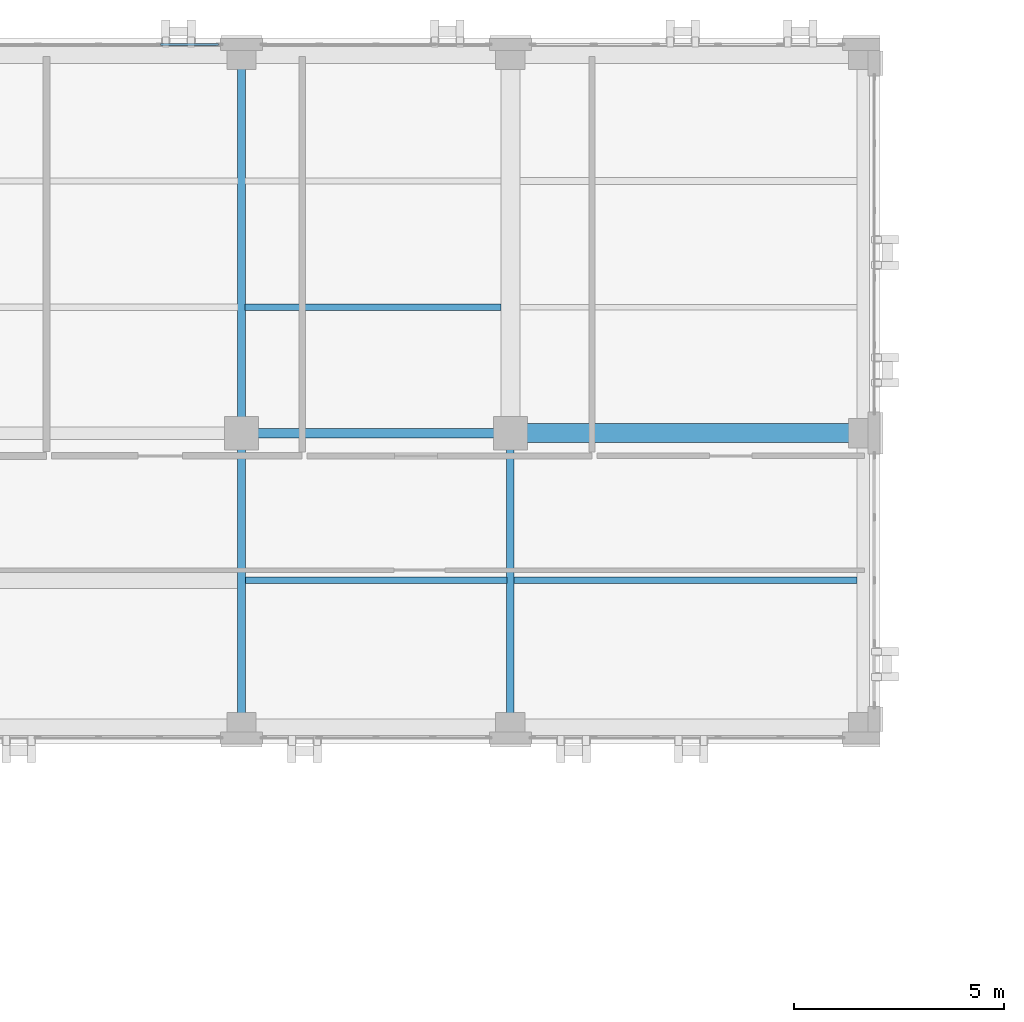
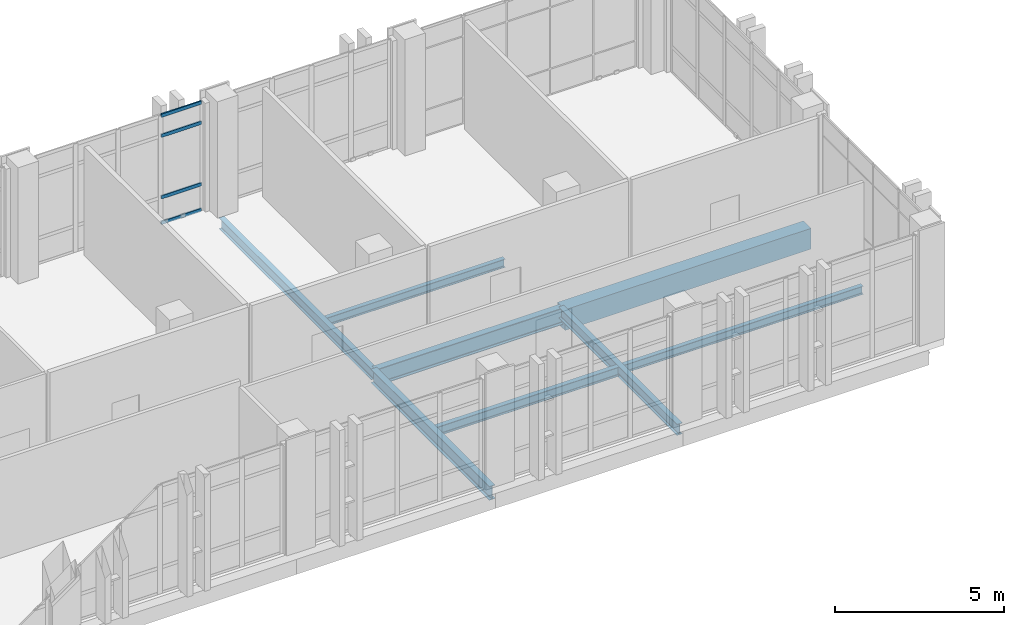
# One storey, part 95 of 165: 8 beams, 4 members, 1 element without a shape of its own.
"""IFC4 building model written with IfcOpenShell, lengths in metres."""

from ifc_helpers import new_model, si_unit, direction, frame, origin, origin_2d, place, context, subcontext, project, spatial, rectangle, hollow_rectangle, i_section, extrude, material, layer, layer_set, material_profile, profile_set, type_object, element, aggregate, save


model = new_model("IFC4")

# Units and contexts
model_context = context("Model", 3, precision=1e-05, world=origin(), true_north=direction((0.0, 1.0)))
body_context = subcontext(model_context, "Body", "Model", "MODEL_VIEW")
ifc_project = project(units=[si_unit("LENGTHUNIT", "METRE"), si_unit("AREAUNIT", "SQUARE_METRE"), si_unit("VOLUMEUNIT", "CUBIC_METRE"), si_unit("PLANEANGLEUNIT", "RADIAN"), si_unit("MASSUNIT", "GRAM", prefix="KILO")], contexts=[model_context])

# Site, building, storey
site_placement = place(None, origin())
site = spatial("IfcSite", under=ifc_project, at=site_placement, CompositionType="ELEMENT")
building_placement = place(site_placement, origin())
building = spatial("IfcBuilding", under=site, at=building_placement, Name="Qalavern Law Courts", CompositionType="ELEMENT")
storey_placement = place(building_placement, frame((0.0, 0.0, 14.39990234375)))
storey = spatial("IfcBuildingStorey", under=building, at=storey_placement, Name="L03", CompositionType="ELEMENT", Elevation=14.39990234375)

# Curtain wall, members
ifc_material_1 = material(Name="Anodised aluminium and insulated glazing", Category="aluminium")
ifc_layer = layer(ifc_material_1, 0.166015625)
ifc_layer_set = layer_set([ifc_layer], Name="Anodised aluminium and insulated glazing")
curtain_wall_type = type_object("IfcCurtainWallType", Name="ENV-CW-LIB", PredefinedType="USERDEFINED", material=ifc_layer_set)
curtain_wall_placement = place(storey_placement, origin())
curtain_wall = element("IfcCurtainWall", 1, at=curtain_wall_placement, inside=storey, type_object=curtain_wall_type, Name="V5 unitised curtain wall L03 north 3", ObjectType="UNITISED CURTAIN WALL", PredefinedType="USERDEFINED")
ifc_material_2 = material(Name="Anodised aluminium", Category="aluminium")
ifc_material_profile_1 = material_profile(ifc_material_2, hollow_rectangle(XDim=0.048095703125, YDim=0.1201171875, WallThickness=0.00390625, at=origin_2d()), Name="ALU TRANSOM 48x120")
ifc_profile_set_1 = profile_set([ifc_material_profile_1], Name="Anodised aluminium")
member_type = type_object("IfcMemberType", Name="ENV-CWT-48x120", PredefinedType="USERDEFINED", material=ifc_profile_set_1)
member_1_placement = place(storey_placement, frame((51.052001953125, 112.8525390625, 0.024169921875), z_axis=(-1.0, 0.0, 0.0), x_axis=(0.0, -1.0, 0.0)))
member_1 = element("IfcMember", 2, at=member_1_placement, type_object=member_type, Name="CW-05 transom 1.1", ObjectType="TRANSOM", PredefinedType="USERDEFINED", context=body_context, shape_type="SweptSolid", body=[
    extrude(hollow_rectangle(XDim=0.048095703125, YDim=0.1201171875, WallThickness=0.00390625, at=origin_2d()), origin(), (0.0, 0.0, 1.0), 1.3779296875),
])
member_2_placement = place(storey_placement, frame((51.052001953125, 112.8525390625, 0.9501953125), z_axis=(-1.0, 0.0, 0.0), x_axis=(0.0, -1.0, 0.0)))
member_2 = element("IfcMember", 3, at=member_2_placement, type_object=member_type, Name="CW-05 transom 1.2", ObjectType="TRANSOM", PredefinedType="USERDEFINED", context=body_context, shape_type="SweptSolid", body=[
    extrude(hollow_rectangle(XDim=0.048095703125, YDim=0.1201171875, WallThickness=0.00390625, at=origin_2d()), origin(), (0.0, 0.0, 1.0), 1.3779296875),
])
member_3_placement = place(storey_placement, frame((51.052001953125, 112.8525390625, 3.170166015625), z_axis=(-1.0, 0.0, 0.0), x_axis=(0.0, -1.0, 0.0)))
member_3 = element("IfcMember", 4, at=member_3_placement, type_object=member_type, Name="CW-05 transom 1.3", ObjectType="TRANSOM", PredefinedType="USERDEFINED", context=body_context, shape_type="SweptSolid", body=[
    extrude(hollow_rectangle(XDim=0.048095703125, YDim=0.1201171875, WallThickness=0.00390625, at=origin_2d()), origin(), (0.0, 0.0, 1.0), 1.3779296875),
])
member_4_placement = place(storey_placement, frame((51.052001953125, 112.8525390625, 3.89599609375), z_axis=(-1.0, 0.0, 0.0), x_axis=(0.0, -1.0, 0.0)))
member_4 = element("IfcMember", 5, at=member_4_placement, type_object=member_type, Name="CW-05 transom 1.4", ObjectType="TRANSOM", PredefinedType="USERDEFINED", context=body_context, shape_type="SweptSolid", body=[
    extrude(hollow_rectangle(XDim=0.048095703125, YDim=0.1201171875, WallThickness=0.00390625, at=origin_2d()), origin(), (0.0, 0.0, 1.0), 1.3779296875),
])
aggregate(curtain_wall, [member_1, member_2, member_3, member_4])

# Beams
ifc_material_3 = material(Name="Steel S355", Category="steel")
ifc_material_profile_2 = material_profile(ifc_material_3, i_section(OverallWidth=0.179931640625, OverallDepth=0.39990234375, WebThickness=0.008544921875, FlangeThickness=0.013427734375, FilletRadius=0.02099609375, at=origin_2d()), Name="IPE 400")
ifc_profile_set_2 = profile_set([ifc_material_profile_2], Name="Steel S355")
beam_type_1 = type_object("IfcBeamType", Name="STR-BM-IPE400", PredefinedType="BEAM", material=ifc_profile_set_2)
beam_1_placement = place(storey_placement, frame((51.60009765625, 103.60009765625, -0.48486328125), z_axis=(0.0, 1.0, 0.0), x_axis=(-1.0, 0.0, 0.0)))
element("IfcBeam", 6, at=beam_1_placement, inside=storey, type_object=beam_type_1, Name="V5 Y-beam 7-2 L03", PredefinedType="BEAM", context=body_context, shape_type="SweptSolid", body=[
    extrude(i_section(OverallWidth=0.179931640625, OverallDepth=0.39990234375, WebThickness=0.008544921875, FlangeThickness=0.013427734375, FilletRadius=0.02099609375, at=origin_2d()), origin(), (0.0, 0.0, 1.0), 9.0),
])
beam_2_placement = place(storey_placement, frame((58.0, 96.60009765625, -0.48486328125), z_axis=(0.0, 1.0, 0.0), x_axis=(-1.0, 0.0, 0.0)))
element("IfcBeam", 7, at=beam_2_placement, inside=storey, type_object=beam_type_1, Name="V5 Y-beam 8-1 L03", PredefinedType="BEAM", context=body_context, shape_type="SweptSolid", body=[
    extrude(i_section(OverallWidth=0.179931640625, OverallDepth=0.39990234375, WebThickness=0.008544921875, FlangeThickness=0.013427734375, FilletRadius=0.02099609375, at=origin_2d()), origin(), (0.0, 0.0, 1.0), 7.0),
])
ifc_material_profile_3 = material_profile(ifc_material_3, i_section(OverallWidth=0.199951171875, OverallDepth=0.5, WebThickness=0.01025390625, FlangeThickness=0.01611328125, FilletRadius=0.02099609375, at=origin_2d()), Name="IPE 500")
ifc_profile_set_3 = profile_set([ifc_material_profile_3], Name="Steel S355")
beam_type_2 = type_object("IfcBeamType", Name="STR-BM-IPE500", PredefinedType="BEAM", material=ifc_profile_set_3)
beam_3_placement = place(storey_placement, frame((51.60009765625, 96.60009765625, -0.534912109375), z_axis=(0.0, 1.0, 0.0), x_axis=(-1.0, 0.0, 0.0)))
element("IfcBeam", 8, at=beam_3_placement, inside=storey, type_object=beam_type_2, Name="V5 Y-beam 7-1 L03", PredefinedType="BEAM", context=body_context, shape_type="SweptSolid", body=[
    extrude(i_section(OverallWidth=0.199951171875, OverallDepth=0.5, WebThickness=0.01025390625, FlangeThickness=0.01611328125, FilletRadius=0.02099609375, at=origin_2d()), origin(), (0.0, 0.0, 1.0), 7.0),
])
ifc_material_profile_4 = material_profile(ifc_material_3, i_section(OverallWidth=0.219970703125, OverallDepth=0.60009765625, WebThickness=0.011962890625, FlangeThickness=0.01904296875, FilletRadius=0.02392578125, at=origin_2d()), Name="IPE 600")
ifc_profile_set_4 = profile_set([ifc_material_profile_4], Name="Steel S355")
beam_type_3 = type_object("IfcBeamType", Name="STR-BM-IPE600", PredefinedType="BEAM", material=ifc_profile_set_4)
beam_4_placement = place(storey_placement, frame((51.60009765625, 103.60009765625, -0.5849609375), z_axis=(1.0, 0.0, 0.0), x_axis=(0.0, 1.0, 0.0)))
element("IfcBeam", 9, at=beam_4_placement, inside=storey, type_object=beam_type_3, Name="V5 X-beam 2-7 L03", PredefinedType="BEAM", context=body_context, shape_type="SweptSolid", body=[
    extrude(i_section(OverallWidth=0.219970703125, OverallDepth=0.60009765625, WebThickness=0.011962890625, FlangeThickness=0.01904296875, FilletRadius=0.02392578125, at=origin_2d()), origin(), (0.0, 0.0, 1.0), 6.39990234375),
])
ifc_material_4 = material(Name="Concrete C40/50", Category="concrete")
ifc_material_profile_5 = material_profile(ifc_material_4, rectangle(XDim=0.449951171875, YDim=0.75, at=origin_2d()), Name="RC 450x750")
ifc_profile_set_5 = profile_set([ifc_material_profile_5], Name="Concrete C40/50")
beam_type_4 = type_object("IfcBeamType", Name="STR-BM-RC450x750", PredefinedType="BEAM", material=ifc_profile_set_5)
beam_5_placement = place(storey_placement, frame((58.0, 103.60009765625, -0.659912109375), z_axis=(1.0, 0.0, 0.0), x_axis=(0.0, 1.0, 0.0)))
element("IfcBeam", 10, at=beam_5_placement, inside=storey, type_object=beam_type_4, Name="V5 X-beam 2-8 L03", PredefinedType="BEAM", context=body_context, shape_type="SweptSolid", body=[
    extrude(rectangle(XDim=0.449951171875, YDim=0.75, at=origin_2d()), origin(), (0.0, 0.0, 1.0), 8.39990234375),
])
ifc_material_profile_6 = material_profile(ifc_material_3, i_section(OverallWidth=0.14990234375, OverallDepth=0.300048828125, WebThickness=0.007080078125, FlangeThickness=0.0107421875, FilletRadius=0.014892578125, at=origin_2d()), Name="IPE 300")
ifc_profile_set_6 = profile_set([ifc_material_profile_6], Name="Steel S355")
beam_type_5 = type_object("IfcBeamType", Name="STR-JST-IPE300", PredefinedType="JOIST", material=ifc_profile_set_6)
beam_6_placement = place(storey_placement, frame((51.68798828125, 106.60009765625, -0.434814453125), z_axis=(1.0, 0.0, 0.0), x_axis=(0.0, 1.0, 0.0)))
element("IfcBeam", 11, at=beam_6_placement, inside=storey, type_object=beam_type_5, Name="V5 secondary joist 7.2.1 L03", PredefinedType="JOIST", context=body_context, shape_type="SweptSolid", body=[
    extrude(i_section(OverallWidth=0.14990234375, OverallDepth=0.300048828125, WebThickness=0.007080078125, FlangeThickness=0.0107421875, FilletRadius=0.014892578125, at=origin_2d()), origin(), (0.0, 0.0, 1.0), 6.089111328125),
])
beam_7_placement = place(storey_placement, frame((58.087890625, 100.10009765625, -0.434814453125), z_axis=(1.0, 0.0, 0.0), x_axis=(0.0, 1.0, 0.0)))
element("IfcBeam", 12, at=beam_7_placement, inside=storey, type_object=beam_type_5, Name="V5 secondary joist 8.1.1 L03", PredefinedType="JOIST", context=body_context, shape_type="SweptSolid", body=[
    extrude(i_section(OverallWidth=0.14990234375, OverallDepth=0.300048828125, WebThickness=0.007080078125, FlangeThickness=0.0107421875, FilletRadius=0.014892578125, at=origin_2d()), origin(), (0.0, 0.0, 1.0), 8.1640625),
])
ifc_material_profile_7 = material_profile(ifc_material_3, i_section(OverallWidth=0.159912109375, OverallDepth=0.330078125, WebThickness=0.007568359375, FlangeThickness=0.011474609375, FilletRadius=0.01806640625, at=origin_2d()), Name="IPE 330")
ifc_profile_set_7 = profile_set([ifc_material_profile_7], Name="Steel S355")
beam_type_6 = type_object("IfcBeamType", Name="STR-JST-IPE330", PredefinedType="JOIST", material=ifc_profile_set_7)
beam_8_placement = place(storey_placement, frame((51.697998046875, 100.10009765625, -0.449951171875), z_axis=(1.0, 0.0, 0.0), x_axis=(0.0, 1.0, 0.0)))
element("IfcBeam", 13, at=beam_8_placement, inside=storey, type_object=beam_type_6, Name="V5 secondary joist 7.1.1 L03", PredefinedType="JOIST", context=body_context, shape_type="SweptSolid", body=[
    extrude(i_section(OverallWidth=0.159912109375, OverallDepth=0.330078125, WebThickness=0.007568359375, FlangeThickness=0.011474609375, FilletRadius=0.01806640625, at=origin_2d()), origin(), (0.0, 0.0, 1.0), 6.214111328125),
])

save(model, "model.ifc")
